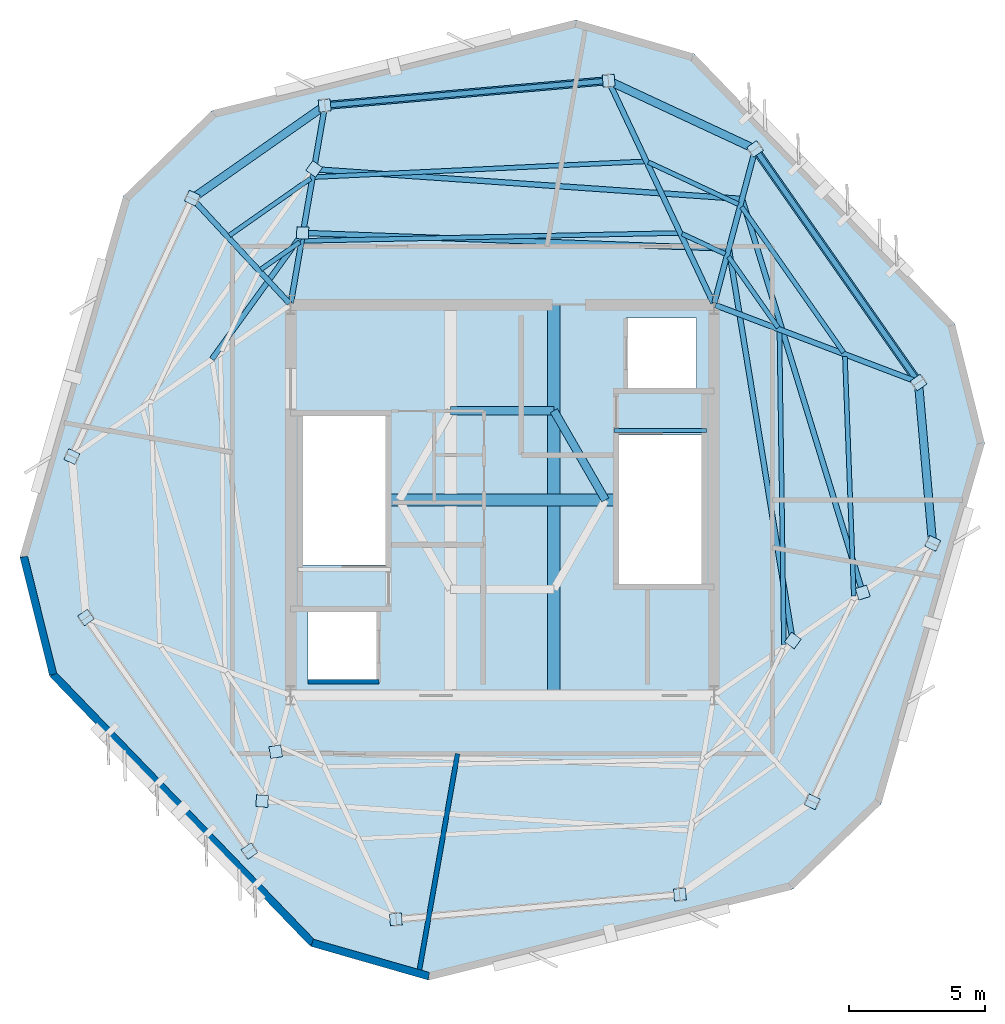
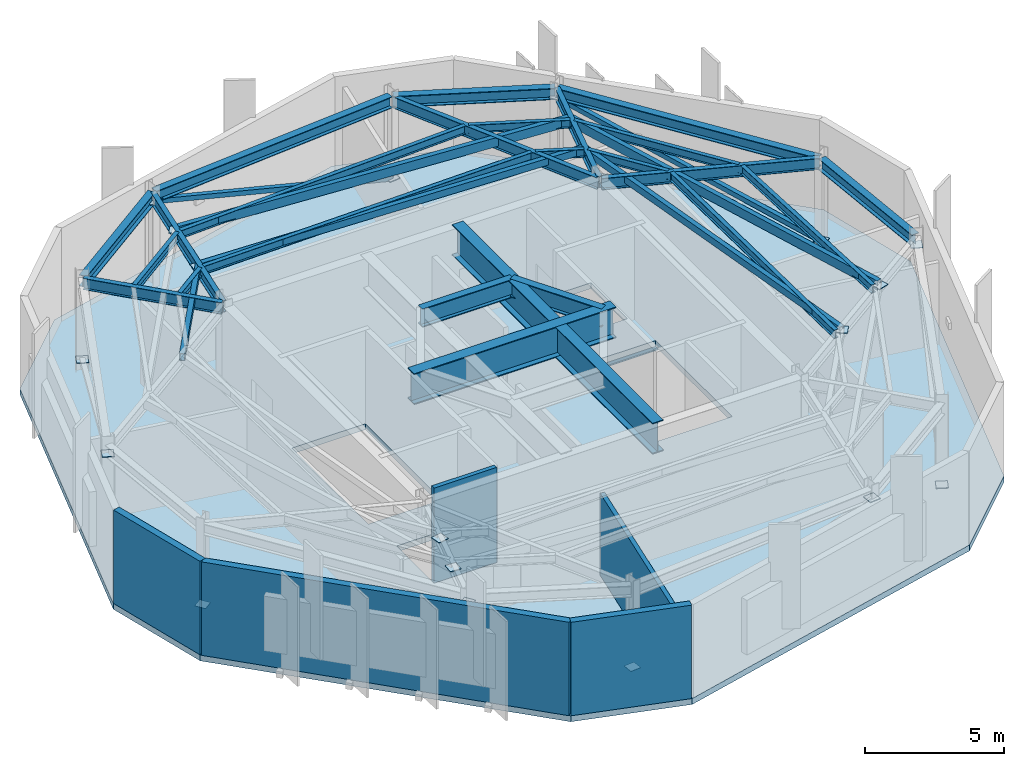
# One storey, part 2 of 5: 25 beams, 18 plates, 7 members, 5 walls, 1 slab.
"""IFC4 building model written with IfcOpenShell, lengths in metres."""

import ifcopenshell
import ifcopenshell.guid

model = None  # the IFC model being written
_history = None  # IfcOwnerHistory: only IFC2X3 demands one
_inside = {}  # id of a spatial element -> (the spatial element, [elements in it])
_under = {}  # id of a project, library or spatial element -> (it, [spatial elements below it])
_declared = {}  # id of a project -> (the project, [libraries it declares])
_typed = {}  # id of a type object -> (the type object, [elements of that type])
_made_of = {}  # id of a material, layer set ... -> (it, [elements and type objects made of it])


def new_model(schema):
    """Start an empty IFC model of exactly this schema.

    Asked for "IFC4X3", IfcOpenShell would pick the latest addendum, in which some entities
    have other attributes; the version numbers below select the first issue.
    IFC2X3 requires an IfcOwnerHistory on every rooted entity: one is made here for all.
    """
    global model, _history
    if schema == "IFC4X3":
        model = ifcopenshell.file(schema_version=(4, 3, 0, 0))
    else:
        model = ifcopenshell.file(schema=schema)
    _inside.clear()
    _under.clear()
    _declared.clear()
    _typed.clear()
    _made_of.clear()
    _history = None
    if model.schema == "IFC2X3":
        org = make("IfcOrganization", Name="unknown")
        user = make(
            "IfcPersonAndOrganization",
            ThePerson=make("IfcPerson", FamilyName="unknown"),
            TheOrganization=org,
        )
        app = make(
            "IfcApplication",
            ApplicationDeveloper=org,
            Version="unknown",
            ApplicationFullName="unknown",
            ApplicationIdentifier="unknown",
        )
        _history = make(
            "IfcOwnerHistory",
            OwningUser=user,
            OwningApplication=app,
            ChangeAction="ADDED",
            CreationDate=0,
        )
    return model


def make(cls, **values):
    """One entity of the class cls with the attributes given. An attribute that is None is left unset."""
    return model.create_entity(
        cls, **{name: value for name, value in values.items() if value is not None}
    )


def rooted(cls, **values):
    """An entity with a GlobalId (a new one), such as an element, a storey or a relation."""
    return make(cls, GlobalId=ifcopenshell.guid.new(), OwnerHistory=_history, **values)


def si_unit(unit_type, name, prefix=None):
    """IfcSIUnit, for example si_unit("LENGTHUNIT", "METRE", prefix="MILLI")."""
    return make("IfcSIUnit", UnitType=unit_type, Prefix=prefix, Name=name)


def assignment(units):
    """IfcUnitAssignment: the units of a project."""
    return None if units is None else make("IfcUnitAssignment", Units=units)


def point(xyz):
    """IfcCartesianPoint."""
    return None if xyz is None else make("IfcCartesianPoint", Coordinates=xyz)


def direction(xyz):
    """IfcDirection."""
    return None if xyz is None else make("IfcDirection", DirectionRatios=xyz)


def frame(location, z_axis=None, x_axis=None):
    """IfcAxis2Placement3D, a coordinate frame: its origin and axes. An axis left out is left unset."""
    return make(
        "IfcAxis2Placement3D",
        Location=point(location),
        Axis=direction(z_axis),
        RefDirection=direction(x_axis),
    )


def frame_2d(location, x_axis=None):
    """IfcAxis2Placement2D, a coordinate frame in the plane: its origin and x axis."""
    return make(
        "IfcAxis2Placement2D", Location=point(location), RefDirection=direction(x_axis)
    )


def origin():
    """The frame at (0, 0, 0) with its axes left unset."""
    return frame((0.0, 0.0, 0.0))


def origin_2d():
    """The frame at (0, 0) in the plane with its x axis left unset."""
    return frame_2d((0.0, 0.0))


def place(relative_to, where):
    """IfcLocalPlacement: puts the frame where relative to a parent placement (None: the world)."""
    return make(
        "IfcLocalPlacement", PlacementRelTo=relative_to, RelativePlacement=where
    )


def context(
    kind, dimensions, precision=None, world=None, true_north=None, identifier=None
):
    """IfcGeometricRepresentationContext, for example the 3D "Model" context."""
    return make(
        "IfcGeometricRepresentationContext",
        ContextIdentifier=identifier,
        ContextType=kind,
        CoordinateSpaceDimension=dimensions,
        Precision=precision,
        WorldCoordinateSystem=world,
        TrueNorth=true_north,
    )


def subcontext(parent, identifier, kind, view, scale=None):
    """IfcGeometricRepresentationSubContext, for example "Body" below "Model"."""
    return make(
        "IfcGeometricRepresentationSubContext",
        ContextIdentifier=identifier,
        ContextType=kind,
        ParentContext=parent,
        TargetScale=scale,
        TargetView=view,
    )


def project(units=None, contexts=None):
    """IfcProject with its units and contexts."""
    return rooted(
        "IfcProject",
        Name="project",
        RepresentationContexts=contexts,
        UnitsInContext=assignment(units),
    )


def spatial(cls, under=None, at=None, **own):
    """A site, building, storey or space (cls), placed at a placement, below another one or the project."""
    s = rooted(cls, ObjectPlacement=at, **own)
    if under is not None:
        _under.setdefault(under.id(), (under, []))[1].append(s)
    return s


def polyline(points):
    """IfcPolyline through the points."""
    return make("IfcPolyline", Points=[point(p) for p in points])


def profile(cls, at=None, kind="AREA", **sizes):
    """A parametric profile (cls). Its sizes go by their IFC names, for example OverallWidth=200.0."""
    return make(cls, ProfileType=kind, Position=at, **sizes)


def rectangle(**sizes):
    """IfcRectangleProfileDef."""
    return profile("IfcRectangleProfileDef", **sizes)


def hollow_rectangle(**sizes):
    """IfcRectangleHollowProfileDef."""
    return profile("IfcRectangleHollowProfileDef", **sizes)


def i_section(**sizes):
    """IfcIShapeProfileDef."""
    return profile("IfcIShapeProfileDef", **sizes)


def outline(outer, holes=None, kind="AREA"):
    """IfcArbitraryClosedProfileDef: a profile drawn as a closed curve; with holes, ...WithVoids."""
    if holes is None:
        return make("IfcArbitraryClosedProfileDef", ProfileType=kind, OuterCurve=outer)
    return make(
        "IfcArbitraryProfileDefWithVoids",
        ProfileType=kind,
        OuterCurve=outer,
        InnerCurves=holes,
    )


def extrude(swept, where, along, depth):
    """IfcExtrudedAreaSolid: the profile swept, set in the frame where, extruded along a direction by depth."""
    return make(
        "IfcExtrudedAreaSolid",
        SweptArea=swept,
        Position=where,
        ExtrudedDirection=direction(along),
        Depth=depth,
    )


def shape(context_of_items, identifier, shape_type, items):
    """IfcShapeRepresentation: the items that make up one representation, for example the "Body"."""
    return make(
        "IfcShapeRepresentation",
        ContextOfItems=context_of_items,
        RepresentationIdentifier=identifier,
        RepresentationType=shape_type,
        Items=items,
    )


def material(Name=None, Category=None):
    """IfcMaterial."""
    return make("IfcMaterial", Name=Name, Category=Category)


def layer(
    of_material, thickness, ventilated=None, Name=None, Category=None, Priority=None
):
    """IfcMaterialLayer: one layer of a wall or slab, of a material (None: an air gap)."""
    return make(
        "IfcMaterialLayer",
        Material=of_material,
        LayerThickness=thickness,
        IsVentilated=ventilated,
        Name=Name,
        Category=Category,
        Priority=Priority,
    )


def layer_set(layers, Name=None):
    """IfcMaterialLayerSet."""
    return make("IfcMaterialLayerSet", MaterialLayers=layers, LayerSetName=Name)


def material_profile(
    of_material, cross_section, Name=None, Category=None, Priority=None
):
    """IfcMaterialProfile: a cross section and its material."""
    return make(
        "IfcMaterialProfile",
        Name=Name,
        Material=of_material,
        Profile=cross_section,
        Priority=Priority,
        Category=Category,
    )


def profile_set(profiles, Name=None, composite=None):
    """IfcMaterialProfileSet."""
    return make(
        "IfcMaterialProfileSet",
        Name=Name,
        MaterialProfiles=profiles,
        CompositeProfile=composite,
    )


def made_of(thing, what):
    """Note that an element or type object is made of a material, layer set ...; save() writes the relation."""
    if what is not None:
        _made_of.setdefault(what.id(), (what, []))[1].append(thing)
    return thing


def type_object(cls, material=None, **own):
    """A type object (cls), such as IfcWallType, which elements share."""
    return made_of(rooted(cls, **own), material)


def element(
    cls,
    number,
    at=None,
    inside=None,
    cuts=None,
    type_object=None,
    material=None,
    context=None,
    identifier="Body",
    shape_type=None,
    held_by="IfcProductDefinitionShape",
    body=None,
    shapes=None,
    **own,
):
    """One element of the class cls, such as IfcWall. Its Tag is "e" and its number.

    at: its placement. inside: the storey or other place that contains it. cuts: it is an
    opening in that element (IfcRelVoidsElement). A single representation is given by context,
    identifier, shape_type and body (its items); several are given by shapes. held_by: the class
    of the entity that holds the representations. save() writes the other relations.
    """
    e = rooted(cls, Tag="e%d" % number, ObjectPlacement=at, **own)
    if body is not None:
        shapes = [shape(context, identifier, shape_type, body)]
    if shapes is not None:
        e.Representation = make(held_by, Representations=shapes)
    if inside is not None:
        _inside.setdefault(inside.id(), (inside, []))[1].append(e)
    if cuts is not None:
        rooted(
            "IfcRelVoidsElement", RelatingBuildingElement=cuts, RelatedOpeningElement=e
        )
    if type_object is not None:
        _typed.setdefault(type_object.id(), (type_object, []))[1].append(e)
    return made_of(e, material)


def aggregate(whole, parts):
    """IfcRelAggregates: a whole, such as a stair, and the parts it consists of."""
    return rooted("IfcRelAggregates", RelatingObject=whole, RelatedObjects=parts)


def save(model, path):
    """Write the relations noted so far, then the file.

    IfcRelAggregates (storeys below a building ...), IfcRelContainedInSpatialStructure (elements
    in a storey), IfcRelDefinesByType, IfcRelAssociatesMaterial and IfcRelDeclares: one each for
    every whole, place, type object, material and project.
    """
    for whole, parts in _under.values():
        aggregate(whole, parts)
    for where, things in _inside.values():
        rooted(
            "IfcRelContainedInSpatialStructure",
            RelatedElements=things,
            RelatingStructure=where,
        )
    for kind, things in _typed.values():
        rooted("IfcRelDefinesByType", RelatedObjects=things, RelatingType=kind)
    for what, things in _made_of.values():
        rooted("IfcRelAssociatesMaterial", RelatedObjects=things, RelatingMaterial=what)
    for by, libraries in _declared.values():
        rooted("IfcRelDeclares", RelatingContext=by, RelatedDefinitions=libraries)
    model.write(path)


model = new_model("IFC4")

# Units and contexts
model_context = context("Model", 3, precision=1e-05, world=origin(), true_north=direction((0.0, 1.0)))
body_context = subcontext(model_context, "Body", "Model", "MODEL_VIEW")
ifc_project = project(units=[si_unit("LENGTHUNIT", "METRE"), si_unit("AREAUNIT", "SQUARE_METRE"), si_unit("VOLUMEUNIT", "CUBIC_METRE"), si_unit("PLANEANGLEUNIT", "RADIAN"), si_unit("MASSUNIT", "GRAM", prefix="KILO")], contexts=[model_context])

# Site, building, storey
site_placement = place(None, origin())
site = spatial("IfcSite", under=ifc_project, at=site_placement, CompositionType="ELEMENT")
building_placement = place(site_placement, origin())
building = spatial("IfcBuilding", under=site, at=building_placement, Name="Kranzbogen Civic Tower", CompositionType="ELEMENT")
storey_placement = place(building_placement, frame((0.0, 0.0, 322.60009765625)))
storey = spatial("IfcBuildingStorey", under=building, at=storey_placement, Name="L78", CompositionType="ELEMENT", Elevation=322.60009765625)

# Members
ifc_material_1 = material(Name="Steel S355", Category="steel")
ifc_material_profile_1 = material_profile(ifc_material_1, hollow_rectangle(XDim=0.199951171875, YDim=0.199951171875, WallThickness=0.012451171875, at=origin_2d()), Name="SHS 200x200x12.5")
ifc_profile_set_1 = profile_set([ifc_material_profile_1], Name="Steel S355")
member_type_1 = type_object("IfcMemberType", Name="Crown Drum Bracing Member SHS 200x200x12.5", PredefinedType="BRACE", material=ifc_profile_set_1)
member_1_placement = place(storey_placement, frame((28.908935546875, 40.449951171875, 0.449951171875), z_axis=(-0.952780116497, -0.083404460046, 0.291982440658), x_axis=(0.087204511818, -0.996190430148, 0.0)))
element("IfcMember", 1, at=member_1_placement, inside=storey, type_object=member_type_1, Name="DC-200: L78 crown drum lateral brace 1", PredefinedType="BRACE", context=body_context, shape_type="SweptSolid", body=[
    extrude(hollow_rectangle(XDim=0.199951171875, YDim=0.199951171875, WallThickness=0.012451171875, at=origin_2d()), origin(), (0.0, 0.0, 1.0), 10.95947265625),
])
member_2_placement = place(storey_placement, frame((40.333984375, 29.339111328125, 0.449951171875), z_axis=(-0.548543887605, 0.783487740704, 0.291970141516), x_axis=(-0.819181584375, -0.573534246424, 0.0)))
element("IfcMember", 2, at=member_2_placement, inside=storey, type_object=member_type_1, Name="DC-200: L78 crown drum lateral brace 6", PredefinedType="BRACE", context=body_context, shape_type="SweptSolid", body=[
    extrude(hollow_rectangle(XDim=0.199951171875, YDim=0.199951171875, WallThickness=0.012451171875, at=origin_2d()), origin(), (0.0, 0.0, 1.0), 10.9599609375),
])
ifc_material_profile_2 = material_profile(ifc_material_1, hollow_rectangle(XDim=0.199951171875, YDim=0.39990234375, WallThickness=0.01611328125, at=origin_2d()), Name="RHS 400x200x16")
ifc_profile_set_2 = profile_set([ifc_material_profile_2], Name="Steel S355")
member_type_2 = type_object("IfcMemberType", Name="Crown Roof Primary Purlin RHS 400x200x16", PredefinedType="PURLIN", material=ifc_profile_set_2)
member_3_placement = place(storey_placement, frame((38.277099609375, 21.60107421875, 3.89990234375), z_axis=(-0.293047842578, 0.956097778452, 0.0), x_axis=(-0.956097778452, -0.293047842578, 0.0)))
element("IfcMember", 3, at=member_3_placement, inside=storey, type_object=member_type_2, Name="Crown sloped roof purlin 5.1", PredefinedType="PURLIN", context=body_context, shape_type="SweptSolid", body=[
    extrude(hollow_rectangle(XDim=0.199951171875, YDim=0.39990234375, WallThickness=0.01611328125, at=origin_2d()), origin(), (0.0, 0.0, 1.0), 15.158447265625),
])
member_4_placement = place(storey_placement, frame((33.8349609375, 36.093994140625, 3.89990234375), z_axis=(-0.997603316424, 0.06919265178, 0.0), x_axis=(-0.06919265178, -0.997603316424, 0.0)))
element("IfcMember", 4, at=member_4_placement, inside=storey, type_object=member_type_2, Name="Crown sloped roof purlin 6.1", PredefinedType="PURLIN", context=body_context, shape_type="SweptSolid", body=[
    extrude(hollow_rectangle(XDim=0.199951171875, YDim=0.39990234375, WallThickness=0.01611328125, at=origin_2d()), origin(), (0.0, 0.0, 1.0), 15.810791015625),
])
ifc_material_profile_3 = material_profile(ifc_material_1, hollow_rectangle(XDim=0.199951171875, YDim=0.300048828125, WallThickness=0.012451171875, at=origin_2d()), Name="RHS 300x200x12.5")
ifc_profile_set_3 = profile_set([ifc_material_profile_3], Name="Steel S355")
member_type_3 = type_object("IfcMemberType", Name="Crown Roof Secondary Purlin RHS 300x200x12.5", PredefinedType="PURLIN", material=ifc_profile_set_3)
member_5_placement = place(storey_placement, frame((17.656005859375, 34.841064453125, 3.89990234375), z_axis=(-0.584963712616, -0.81105946448, 0.0), x_axis=(0.81105946448, -0.584963712616, 0.0)))
element("IfcMember", 5, at=member_5_placement, inside=storey, type_object=member_type_3, Name="Crown sloped roof purlin 1.2", PredefinedType="PURLIN", context=body_context, shape_type="SweptSolid", body=[
    extrude(hollow_rectangle(XDim=0.199951171875, YDim=0.300048828125, WallThickness=0.012451171875, at=origin_2d()), origin(), (0.0, 0.0, 1.0), 5.737060546875),
])
member_6_placement = place(storey_placement, frame((35.699951171875, 19.81201171875, 3.89990234375), z_axis=(-0.160668423312, 0.987008438541, 0.0), x_axis=(-0.987008438541, -0.160668423312, 0.0)))
element("IfcMember", 6, at=member_6_placement, inside=storey, type_object=member_type_3, Name="Crown sloped roof purlin 5.2", PredefinedType="PURLIN", context=body_context, shape_type="SweptSolid", body=[
    extrude(hollow_rectangle(XDim=0.199951171875, YDim=0.300048828125, WallThickness=0.012451171875, at=origin_2d()), origin(), (0.0, 0.0, 1.0), 14.63916015625),
])
member_7_placement = place(storey_placement, frame((33.347900390625, 34.260986328125, 3.89990234375), z_axis=(-0.999317429699, 0.036941503765, 0.0), x_axis=(-0.036941503765, -0.999317429699, 0.0)))
element("IfcMember", 7, at=member_7_placement, inside=storey, type_object=member_type_3, Name="Crown sloped roof purlin 6.2", PredefinedType="PURLIN", context=body_context, shape_type="SweptSolid", body=[
    extrude(hollow_rectangle(XDim=0.199951171875, YDim=0.300048828125, WallThickness=0.012451171875, at=origin_2d()), origin(), (0.0, 0.0, 1.0), 15.70263671875),
])

# Beams
ifc_material_profile_4 = material_profile(ifc_material_1, i_section(OverallWidth=0.300048828125, OverallDepth=0.5, WebThickness=0.014404296875, FlangeThickness=0.028076171875, at=origin_2d()), Name="HEB 500")
ifc_profile_set_4 = profile_set([ifc_material_profile_4], Name="Steel S355")
beam_type_1 = type_object("IfcBeamType", Name="Perimeter Tube Spandrel Beam HEB 500", PredefinedType="SPANDREL", material=ifc_profile_set_4)
beam_1_placement = place(storey_placement, frame((40.85009765625, 23.449951171875, 3.849853515625), z_axis=(-0.087326362434, 0.99617975608, 0.0), x_axis=(-0.99617975608, -0.087326362434, 0.0)))
element("IfcBeam", 8, at=beam_1_placement, inside=storey, type_object=beam_type_1, Name="L78 perimeter spandrel beam 06", PredefinedType="SPANDREL", context=body_context, shape_type="SweptSolid", body=[
    extrude(i_section(OverallWidth=0.300048828125, OverallDepth=0.5, WebThickness=0.014404296875, FlangeThickness=0.028076171875, at=origin_2d()), origin(), (0.0, 0.0, 1.0), 5.8515625),
])
beam_2_placement = place(storey_placement, frame((40.300048828125, 29.387939453125, 3.849853515625), z_axis=(-0.573577759301, 0.819151117948, 0.0), x_axis=(-0.819151117948, -0.573577759301, 0.0)))
element("IfcBeam", 9, at=beam_2_placement, inside=storey, type_object=beam_type_1, Name="L78 perimeter spandrel beam 07", PredefinedType="SPANDREL", context=body_context, shape_type="SweptSolid", body=[
    extrude(i_section(OverallWidth=0.300048828125, OverallDepth=0.5, WebThickness=0.014404296875, FlangeThickness=0.028076171875, at=origin_2d()), origin(), (0.0, 0.0, 1.0), 10.36328125),
])
beam_3_placement = place(storey_placement, frame((34.26806640625, 37.950927734375, 3.849853515625), z_axis=(-0.906289661556, 0.422657129784, 0.0), x_axis=(-0.422657129784, -0.906289661556, 0.0)))
element("IfcBeam", 10, at=beam_3_placement, inside=storey, type_object=beam_type_1, Name="L78 perimeter spandrel beam 08", PredefinedType="SPANDREL", context=body_context, shape_type="SweptSolid", body=[
    extrude(i_section(OverallWidth=0.300048828125, OverallDepth=0.5, WebThickness=0.014404296875, FlangeThickness=0.028076171875, at=origin_2d()), origin(), (0.0, 0.0, 1.0), 5.853759765625),
])
beam_4_placement = place(storey_placement, frame((28.84912109375, 40.445068359375, 3.849853515625), z_axis=(-0.996186373839, -0.087250837114, 0.0), x_axis=(0.087250837114, -0.996186373839, 0.0)))
element("IfcBeam", 11, at=beam_4_placement, inside=storey, type_object=beam_type_1, Name="L78 perimeter spandrel beam 09", PredefinedType="SPANDREL", context=body_context, shape_type="SweptSolid", body=[
    extrude(i_section(OverallWidth=0.300048828125, OverallDepth=0.5, WebThickness=0.014404296875, FlangeThickness=0.028076171875, at=origin_2d()), origin(), (0.0, 0.0, 1.0), 10.361572265625),
])
beam_5_placement = place(storey_placement, frame((18.41796875, 39.501953125, 3.849853515625), z_axis=(-0.819059436004, -0.57370867197, 0.0), x_axis=(0.57370867197, -0.819059436004, 0.0)))
element("IfcBeam", 12, at=beam_5_placement, inside=storey, type_object=beam_type_1, Name="L78 perimeter spandrel beam 10", PredefinedType="SPANDREL", context=body_context, shape_type="SweptSolid", body=[
    extrude(i_section(OverallWidth=0.300048828125, OverallDepth=0.5, WebThickness=0.014404296875, FlangeThickness=0.028076171875, at=origin_2d()), origin(), (0.0, 0.0, 1.0), 5.85302734375),
])
ifc_material_profile_5 = material_profile(ifc_material_1, i_section(OverallWidth=0.300048828125, OverallDepth=0.800048828125, WebThickness=0.017578125, FlangeThickness=0.032958984375, at=origin_2d()), Name="HEB 800")
ifc_profile_set_5 = profile_set([ifc_material_profile_5], Name="Steel S355")
beam_type_2 = type_object("IfcBeamType", Name="Primary Ring and Crown Transfer Girder HEB 800", PredefinedType="BEAM", material=ifc_profile_set_5)
beam_6_placement = place(storey_placement, frame((28.800048828125, 25.0, 3.77001953125), z_axis=(-0.500015340139, 0.86601654697, 0.0), x_axis=(-0.86601654697, -0.500015340139, 0.0)))
element("IfcBeam", 13, at=beam_6_placement, inside=storey, type_object=beam_type_2, Name="TG-800: Broadcast Mast base transfer ring girder 1", PredefinedType="BEAM", context=body_context, shape_type="SweptSolid", body=[
    extrude(i_section(OverallWidth=0.300048828125, OverallDepth=0.800048828125, WebThickness=0.017578125, FlangeThickness=0.032958984375, at=origin_2d()), origin(), (0.0, 0.0, 1.0), 3.80029296875),
])
beam_7_placement = place(storey_placement, frame((26.89990234375, 28.291015625, 3.77001953125), z_axis=(-1.0, 0.0, 0.0), x_axis=(0.0, -1.0, 0.0)))
element("IfcBeam", 14, at=beam_7_placement, inside=storey, type_object=beam_type_2, Name="TG-800: Broadcast Mast base transfer ring girder 2", PredefinedType="BEAM", context=body_context, shape_type="SweptSolid", body=[
    extrude(i_section(OverallWidth=0.300048828125, OverallDepth=0.800048828125, WebThickness=0.017578125, FlangeThickness=0.032958984375, at=origin_2d()), origin(), (0.0, 0.0, 1.0), 3.7998046875),
])
ifc_material_profile_6 = material_profile(ifc_material_1, i_section(OverallWidth=0.199951171875, OverallDepth=0.5, WebThickness=0.01025390625, FlangeThickness=0.01611328125, at=origin_2d()), Name="IPE 500")
ifc_profile_set_6 = profile_set([ifc_material_profile_6], Name="Steel S355")
beam_type_3 = type_object("IfcBeamType", Name="Radial Tower Floor Girder IPE 500", PredefinedType="BEAM", material=ifc_profile_set_6)
beam_8_placement = place(storey_placement, frame((40.278076171875, 29.360107421875, 3.849853515625), z_axis=(-0.934848709689, 0.355046320913, 0.0), x_axis=(-0.355046320913, -0.934848709689, 0.0)))
element("IfcBeam", 15, at=beam_8_placement, inside=storey, type_object=beam_type_3, Name="L78 radial floor girder 07", PredefinedType="BEAM", context=body_context, shape_type="SweptSolid", body=[
    extrude(i_section(OverallWidth=0.199951171875, OverallDepth=0.5, WebThickness=0.01025390625, FlangeThickness=0.01611328125, at=origin_2d()), origin(), (0.0, 0.0, 1.0), 7.939453125),
])
beam_9_placement = place(storey_placement, frame((34.306884765625, 37.867919921875, 3.849853515625), z_axis=(-0.257016017622, -0.966407143333, 0.0), x_axis=(0.966407143333, -0.257016017622, 0.0)))
element("IfcBeam", 16, at=beam_9_placement, inside=storey, type_object=beam_type_3, Name="L78 radial floor girder 08", PredefinedType="BEAM", context=body_context, shape_type="SweptSolid", body=[
    extrude(i_section(OverallWidth=0.199951171875, OverallDepth=0.5, WebThickness=0.01025390625, FlangeThickness=0.01611328125, at=origin_2d()), origin(), (0.0, 0.0, 1.0), 5.804931640625),
])
beam_10_placement = place(storey_placement, frame((28.93505859375, 40.39599609375, 3.849853515625), z_axis=(0.426460441273, -0.904506214478, 0.0), x_axis=(0.904506214478, 0.426460441273, 0.0)))
element("IfcBeam", 17, at=beam_10_placement, inside=storey, type_object=beam_type_3, Name="L78 radial floor girder 09", PredefinedType="BEAM", context=body_context, shape_type="SweptSolid", body=[
    extrude(i_section(OverallWidth=0.199951171875, OverallDepth=0.5, WebThickness=0.01025390625, FlangeThickness=0.01611328125, at=origin_2d()), origin(), (0.0, 0.0, 1.0), 9.001708984375),
])
beam_11_placement = place(storey_placement, frame((18.45703125, 39.47705078125, 3.849853515625), z_axis=(-0.170249558486, -0.985400978199, 0.0), x_axis=(0.985400978199, -0.170249558486, 0.0)))
element("IfcBeam", 18, at=beam_11_placement, inside=storey, type_object=beam_type_3, Name="L78 radial floor girder 10", PredefinedType="BEAM", context=body_context, shape_type="SweptSolid", body=[
    extrude(i_section(OverallWidth=0.199951171875, OverallDepth=0.5, WebThickness=0.01025390625, FlangeThickness=0.01611328125, at=origin_2d()), origin(), (0.0, 0.0, 1.0), 7.324951171875),
])
beam_12_placement = place(storey_placement, frame((13.615966796875, 36.06591796875, 3.849853515625), z_axis=(0.679827353702, -0.733372190064, 0.0), x_axis=(0.733372190064, 0.679827353702, 0.0)))
element("IfcBeam", 19, at=beam_12_placement, inside=storey, type_object=beam_type_3, Name="L78 radial floor girder 11", PredefinedType="BEAM", context=body_context, shape_type="SweptSolid", body=[
    extrude(i_section(OverallWidth=0.199951171875, OverallDepth=0.5, WebThickness=0.01025390625, FlangeThickness=0.01611328125, at=origin_2d()), origin(), (0.0, 0.0, 1.0), 5.211669921875),
])
ifc_material_profile_7 = material_profile(ifc_material_1, i_section(OverallWidth=0.169921875, OverallDepth=0.360107421875, WebThickness=0.008056640625, FlangeThickness=0.0126953125, at=origin_2d()), Name="IPE 360")
ifc_profile_set_7 = profile_set([ifc_material_profile_7], Name="Steel S355")
beam_type_4 = type_object("IfcBeamType", Name="Secondary Composite Floor Joist IPE 360", PredefinedType="JOIST", material=ifc_profile_set_7)
beam_13_placement = place(storey_placement, frame((37.951904296875, 21.4580078125, 3.919921875), z_axis=(-0.036992246074, 0.999315552631, 0.0), x_axis=(-0.999315552631, -0.036992246074, 0.0)))
element("IfcBeam", 20, at=beam_13_placement, inside=storey, type_object=beam_type_4, Name="L78 secondary floor joist 1.06", PredefinedType="JOIST", context=body_context, shape_type="SweptSolid", body=[
    extrude(i_section(OverallWidth=0.169921875, OverallDepth=0.360107421875, WebThickness=0.008056640625, FlangeThickness=0.0126953125, at=origin_2d()), origin(), (0.0, 0.0, 1.0), 8.837158203125),
])
beam_14_placement = place(storey_placement, frame((35.3759765625, 19.6689453125, 3.919921875), z_axis=(-0.014221385906, 0.999898870978, 0.0), x_axis=(-0.999898870978, -0.014221385906, 0.0)))
element("IfcBeam", 21, at=beam_14_placement, inside=storey, type_object=beam_type_4, Name="L78 secondary floor joist 2.06", PredefinedType="JOIST", context=body_context, shape_type="SweptSolid", body=[
    extrude(i_section(OverallWidth=0.169921875, OverallDepth=0.360107421875, WebThickness=0.008056640625, FlangeThickness=0.0126953125, at=origin_2d()), origin(), (0.0, 0.0, 1.0), 11.536376953125),
])
beam_15_placement = place(storey_placement, frame((37.575927734375, 30.43408203125, 3.919921875), z_axis=(-0.573499872939, 0.819205649235, 0.0), x_axis=(-0.819205649235, -0.573499872939, 0.0)))
element("IfcBeam", 22, at=beam_15_placement, inside=storey, type_object=beam_type_4, Name="L78 secondary floor joist 1.07", PredefinedType="JOIST", context=body_context, shape_type="SweptSolid", body=[
    extrude(i_section(OverallWidth=0.169921875, OverallDepth=0.360107421875, WebThickness=0.008056640625, FlangeThickness=0.0126953125, at=origin_2d()), origin(), (0.0, 0.0, 1.0), 6.549072265625),
])
beam_16_placement = place(storey_placement, frame((35.1650390625, 31.35009765625, 3.919921875), z_axis=(-0.573498248491, 0.819206786457, 0.0), x_axis=(-0.819206786457, -0.573498248491, 0.0)))
element("IfcBeam", 23, at=beam_16_placement, inside=storey, type_object=beam_type_4, Name="L78 secondary floor joist 2.07", PredefinedType="JOIST", context=body_context, shape_type="SweptSolid", body=[
    extrude(i_section(OverallWidth=0.169921875, OverallDepth=0.360107421875, WebThickness=0.008056640625, FlangeThickness=0.0126953125, at=origin_2d()), origin(), (0.0, 0.0, 1.0), 3.194580078125),
])
beam_17_placement = place(storey_placement, frame((33.701904296875, 35.89794921875, 3.919921875), z_axis=(-0.906303996948, 0.422626389517, 0.0), x_axis=(-0.422626389517, -0.906303996948, 0.0)))
element("IfcBeam", 24, at=beam_17_placement, inside=storey, type_object=beam_type_4, Name="L78 secondary floor joist 1.08", PredefinedType="JOIST", context=body_context, shape_type="SweptSolid", body=[
    extrude(i_section(OverallWidth=0.169921875, OverallDepth=0.360107421875, WebThickness=0.008056640625, FlangeThickness=0.0126953125, at=origin_2d()), origin(), (0.0, 0.0, 1.0), 3.6630859375),
])
beam_18_placement = place(storey_placement, frame((33.215087890625, 34.06591796875, 3.919921875), z_axis=(-0.906432174342, 0.422351409751, 0.0), x_axis=(-0.422351409751, -0.906432174342, 0.0)))
element("IfcBeam", 25, at=beam_18_placement, inside=storey, type_object=beam_type_4, Name="L78 secondary floor joist 2.08", PredefinedType="JOIST", context=body_context, shape_type="SweptSolid", body=[
    extrude(i_section(OverallWidth=0.169921875, OverallDepth=0.360107421875, WebThickness=0.008056640625, FlangeThickness=0.0126953125, at=origin_2d()), origin(), (0.0, 0.0, 1.0), 1.751953125),
])
beam_19_placement = place(storey_placement, frame((30.22998046875, 37.47607421875, 3.919921875), z_axis=(-0.998871634781, -0.047491654324, 0.0), x_axis=(0.047491654324, -0.998871634781, 0.0)))
element("IfcBeam", 26, at=beam_19_placement, inside=storey, type_object=beam_type_4, Name="L78 secondary floor joist 1.09", PredefinedType="JOIST", context=body_context, shape_type="SweptSolid", body=[
    extrude(i_section(OverallWidth=0.169921875, OverallDepth=0.360107421875, WebThickness=0.008056640625, FlangeThickness=0.0126953125, at=origin_2d()), origin(), (0.0, 0.0, 1.0), 12.152587890625),
])
beam_20_placement = place(storey_placement, frame((31.47509765625, 34.837890625, 3.919921875), z_axis=(-0.999780746893, -0.020939392104, 0.0), x_axis=(0.020939392104, -0.999780746893, 0.0)))
element("IfcBeam", 27, at=beam_20_placement, inside=storey, type_object=beam_type_4, Name="L78 secondary floor joist 2.09", PredefinedType="JOIST", context=body_context, shape_type="SweptSolid", body=[
    extrude(i_section(OverallWidth=0.169921875, OverallDepth=0.360107421875, WebThickness=0.008056640625, FlangeThickness=0.0126953125, at=origin_2d()), origin(), (0.0, 0.0, 1.0), 13.79296875),
])
beam_21_placement = place(storey_placement, frame((17.945068359375, 36.84912109375, 3.919921875), z_axis=(-0.819006333711, -0.573784476385, 0.0), x_axis=(0.573784476385, -0.819006333711, 0.0)))
element("IfcBeam", 28, at=beam_21_placement, inside=storey, type_object=beam_type_4, Name="L78 secondary floor joist 1.10", PredefinedType="JOIST", context=body_context, shape_type="SweptSolid", body=[
    extrude(i_section(OverallWidth=0.169921875, OverallDepth=0.360107421875, WebThickness=0.008056640625, FlangeThickness=0.0126953125, at=origin_2d()), origin(), (0.0, 0.0, 1.0), 3.661865234375),
])
beam_22_placement = place(storey_placement, frame((17.5400390625, 34.501953125, 3.919921875), z_axis=(-0.818956727849, -0.573855276103, 0.0), x_axis=(0.573855276103, -0.818956727849, 0.0)))
element("IfcBeam", 29, at=beam_22_placement, inside=storey, type_object=beam_type_4, Name="L78 secondary floor joist 2.10", PredefinedType="JOIST", context=body_context, shape_type="SweptSolid", body=[
    extrude(i_section(OverallWidth=0.169921875, OverallDepth=0.360107421875, WebThickness=0.008056640625, FlangeThickness=0.0126953125, at=origin_2d()), origin(), (0.0, 0.0, 1.0), 1.751220703125),
])
ifc_material_profile_8 = material_profile(ifc_material_1, i_section(OverallWidth=0.135009765625, OverallDepth=0.27001953125, WebThickness=0.006591796875, FlangeThickness=0.01025390625, at=origin_2d()), Name="IPE 270")
ifc_profile_set_8 = profile_set([ifc_material_profile_8], Name="Steel S355")
beam_type_5 = type_object("IfcBeamType", Name="Stair Landing Support Beam IPE 270", PredefinedType="JOIST", material=ifc_profile_set_8)
beam_23_placement = place(storey_placement, frame((29.1201171875, 27.56005859375, -0.39501953125), z_axis=(1.0, 0.0, 0.0), x_axis=(0.0, 1.0, 0.0)))
element("IfcBeam", 30, at=beam_23_placement, inside=storey, type_object=beam_type_5, Name="L78 ST-T2 stair floor header beam", PredefinedType="JOIST", context=body_context, shape_type="SweptSolid", body=[
    extrude(i_section(OverallWidth=0.135009765625, OverallDepth=0.27001953125, WebThickness=0.006591796875, FlangeThickness=0.01025390625, at=origin_2d()), origin(), (0.0, 0.0, 1.0), 3.409912109375),
])
ifc_material_2 = material(Name="Steel S460", Category="steel")
ifc_material_profile_9 = material_profile(ifc_material_2, i_section(OverallWidth=0.449951171875, OverallDepth=1.35009765625, WebThickness=0.02392578125, FlangeThickness=0.0380859375, at=origin_2d()), Name="WPG 1350x450x24x38")
ifc_profile_set_9 = profile_set([ifc_material_profile_9], Name="Steel S460")
beam_type_6 = type_object("IfcBeamType", Name="Welded Transfer Girder WPG 1350x450x24x38", PredefinedType="BEAM", material=ifc_profile_set_9)
beam_24_placement = place(storey_placement, frame((26.89990234375, 17.800048828125, 3.494873046875), z_axis=(0.0, 1.0, 0.0), x_axis=(-1.0, 0.0, 0.0)))
element("IfcBeam", 31, at=beam_24_placement, inside=storey, type_object=beam_type_6, Name="TG-1350: Broadcast Mast primary core transfer girder 2", PredefinedType="BEAM", context=body_context, shape_type="SweptSolid", body=[
    extrude(i_section(OverallWidth=0.449951171875, OverallDepth=1.35009765625, WebThickness=0.02392578125, FlangeThickness=0.0380859375, at=origin_2d()), origin(), (0.0, 0.0, 1.0), 14.39990234375),
])
beam_25_placement = place(storey_placement, frame((20.81005859375, 25.0, 3.494873046875), z_axis=(1.0, 0.0, 0.0), x_axis=(0.0, 1.0, 0.0)))
element("IfcBeam", 32, at=beam_25_placement, inside=storey, type_object=beam_type_6, Name="TG-1350: Broadcast Mast primary core transfer girder 3", PredefinedType="BEAM", context=body_context, shape_type="SweptSolid", body=[
    extrude(i_section(OverallWidth=0.449951171875, OverallDepth=1.35009765625, WebThickness=0.02392578125, FlangeThickness=0.0380859375, at=origin_2d()), origin(), (0.0, 0.0, 1.0), 8.3798828125),
])

# Slab
ifc_material_3 = material(Name="Concrete C40/50", Category="concrete")
ifc_layer_1 = layer(ifc_material_3, 0.260009765625, Name="Concrete C40/50")
ifc_layer_set_1 = layer_set([ifc_layer_1], Name="Concrete C40/50")
slab_type = type_object("IfcSlabType", Name="Composite Podium and Sky Lobby Floor Slab 260 mm", PredefinedType="FLOOR", material=ifc_layer_set_1)
slab_placement = place(storey_placement, frame((0.0, 0.0, -0.260009765625)))
element("IfcSlab", 33, at=slab_placement, inside=storey, type_object=slab_type, Name="L78 tower floor slab", PredefinedType="FLOOR", context=body_context, shape_type="SweptSolid", body=[
    extrude(outline(polyline([(27.73095703125, 42.68603515625), (14.285888671875, 39.333984375), (11.049072265625, 36.2080078125), (7.22998046875, 22.887939453125), (8.318115234375, 18.52197265625), (17.944091796875, 8.553955078125), (22.26904296875, 7.31396484375), (35.714111328125, 10.666015625), (38.950927734375, 13.7919921875), (42.77001953125, 27.112060546875), (41.681884765625, 31.47802734375), (32.055908203125, 41.446044921875), (27.73095703125, 42.68603515625)]), holes=[polyline([(17.85009765625, 20.89990234375), (20.449951171875, 20.89990234375), (20.449951171875, 18.300048828125), (17.85009765625, 18.300048828125), (17.85009765625, 20.89990234375)]), polyline([(32.35009765625, 21.89990234375), (29.300048828125, 21.89990234375), (29.300048828125, 27.39990234375), (32.35009765625, 27.39990234375), (32.35009765625, 21.89990234375)]), polyline([(17.64990234375, 28.10009765625), (20.699951171875, 28.10009765625), (20.699951171875, 22.60009765625), (17.64990234375, 22.60009765625), (17.64990234375, 28.10009765625)]), polyline([(29.550048828125, 31.699951171875), (32.14990234375, 31.699951171875), (32.14990234375, 29.10009765625), (29.550048828125, 29.10009765625), (29.550048828125, 31.699951171875)])]), origin(), (0.0, 0.0, 1.0), 0.260009765625),
])

# Plates
ifc_layer_2 = layer(ifc_material_1, 0.02490234375, Name="Steel S355")
ifc_layer_set_2 = layer_set([ifc_layer_2], Name="Steel S355")
plate_type = type_object("IfcPlateType", Name="Hollow Section Sealed End Cap Plate 440x440x25", PredefinedType="SHEET", material=ifc_layer_set_2)
for number, where, z_axis, x_axis, name in (
    (34, (18.069091796875, 37.197998046875, 3.887451171875), (0.0, 0.0, 1.0), (-0.584971830632, -0.811053609428, 0.0), "Crown sloped roof purlin 1.1 end cap 1"),
    (35, (16.654052734375, 15.72705078125, 3.887451171875), (0.0, 0.0, 1.0), (0.16065643331, -0.987010390237, 0.0), "Crown sloped roof purlin 2.2 end cap 2"),
    (36, (16.153076171875, 13.906982421875, 3.887451171875), (0.0, 0.0, 1.0), (0.997602854038, -0.069199318024, 0.0), "Crown sloped roof purlin 3.1 end cap 1"),
    (37, (35.70703125, 19.822021484375, 3.887451171875), (0.0, 0.0, 1.0), (0.584971830632, 0.811053609428, 0.0), "Crown sloped roof purlin 4.2 end cap 2"),
    (38, (38.281005859375, 21.589111328125, 3.887451171875), (0.0, 0.0, 1.0), (-0.293039260085, 0.956100408978, 0.0), "Crown sloped roof purlin 5.1 end cap 1"),
    (39, (17.64404296875, 34.841064453125, 3.887451171875), (0.0, 0.0, 1.0), (-0.999317477384, 0.036940213793, 0.0), "Crown sloped roof purlin 6.2 end cap 2"),
    (40, (28.9208984375, 40.450927734375, 0.433349609375), (0.0, 0.0, 1.0), (-0.996191655175, -0.087190516449, 0.0), "DC-200: L78 crown drum lateral brace 1 end cap 1"),
    (41, (18.455078125, 39.534912109375, 3.641357421875), (0.0, 0.0, 1.0), (-0.996191655175, -0.087190516449, 0.0), "DC-200: L78 crown drum lateral brace 1 end cap 2"),
    (42, (13.580078125, 36.12109375, 0.433349609375), (0.0, 0.0, 1.0), (-0.422618261741, -0.906307787037, 0.0), "DC-200: L78 crown drum lateral brace 2 end cap 1"),
    (43, (9.139892578125, 26.59912109375, 3.641357421875), (0.0, 0.0, 1.0), (-0.422618261741, -0.906307787037, 0.0), "DC-200: L78 crown drum lateral brace 2 end cap 2"),
    (44, (9.658935546875, 20.6708984375, 0.433349609375), (0.0, 0.0, 1.0), (0.573533544864, -0.819182075558, 0.0), "DC-200: L78 crown drum lateral brace 3 end cap 1"),
    (45, (15.68505859375, 12.06396484375, 3.641357421875), (0.0, 0.0, 1.0), (0.573533544864, -0.819182075558, 0.0), "DC-200: L78 crown drum lateral brace 3 end cap 2"),
    (46, (21.0791015625, 9.549072265625, 0.433349609375), (0.0, 0.0, 1.0), (0.996191655175, 0.087190516449, 0.0), "DC-200: L78 crown drum lateral brace 4 end cap 1"),
    (47, (31.544921875, 10.465087890625, 3.641357421875), (0.0, 0.0, 1.0), (0.996191655175, 0.087190516449, 0.0), "DC-200: L78 crown drum lateral brace 4 end cap 2"),
    (48, (36.419921875, 13.87890625, 0.433349609375), (0.0, 0.0, 1.0), (0.422618261741, 0.906307787037, 0.0), "DC-200: L78 crown drum lateral brace 5 end cap 1"),
    (49, (40.860107421875, 23.40087890625, 3.641357421875), (0.0, 0.0, 1.0), (0.422618261741, 0.906307787037, 0.0), "DC-200: L78 crown drum lateral brace 5 end cap 2"),
    (50, (40.341064453125, 29.3291015625, 0.433349609375), (0.0, 0.0, 1.0), (-0.573533544864, 0.819182075558, 0.0), "DC-200: L78 crown drum lateral brace 6 end cap 1"),
    (51, (34.31494140625, 37.93603515625, 3.641357421875), (0.0, 0.0, 1.0), (-0.573533544864, 0.819182075558, 0.0), "DC-200: L78 crown drum lateral brace 6 end cap 2"),
):
    element("IfcPlate", number, at=place(storey_placement, frame(where, z_axis=z_axis, x_axis=x_axis)), inside=storey, type_object=plate_type, Name=name, PredefinedType="SHEET", context=body_context, shape_type="SweptSolid", body=[
        extrude(rectangle(XDim=0.43994140625, YDim=0.43994140625, at=origin_2d()), origin(), (0.0, 0.0, 1.0), 0.02490234375),
    ])

# Walls
ifc_material_4 = material(Name="Gypsum Fireboard Shaftliner")
ifc_layer_3 = layer(ifc_material_4, 0.175048828125, Name="Gypsum Fireboard Shaftliner")
ifc_layer_set_3 = layer_set([ifc_layer_3], Name="Gypsum Fireboard Shaftliner")
wall_type_1 = type_object("IfcWallType", Name="Fire-Rated Lift and Service Shaft Wall 175 mm", PredefinedType="PARTITIONING", material=ifc_layer_set_3)
wall_1_placement = place(storey_placement, frame((17.85009765625, 18.300048828125, 0.0), z_axis=(0.0, 0.0, 1.0), x_axis=(1.0, 0.0, 0.0)))
element("IfcWall", 52, at=wall_1_placement, inside=storey, type_object=wall_type_1, Name="L78 lift FF-01 side wall", PredefinedType="PARTITIONING", context=body_context, shape_type="SweptSolid", body=[
    extrude(rectangle(XDim=2.599853515625, YDim=0.175048828125, at=frame_2d((1.2998046875, 0.0))), origin(), (0.0, 0.0, 1.0), 4.169921875),
])
wall_2_placement = place(storey_placement, frame((23.35107421875, 15.64990234375, 0.0), z_axis=(0.0, 0.0, 1.0), x_axis=(-0.173619687581, -0.984812776158, 0.0)))
element("IfcWall", 53, at=wall_2_placement, inside=storey, type_object=wall_type_1, Name="L78 radial room partition 03", PredefinedType="PARTITIONING", context=body_context, shape_type="SweptSolid", body=[
    extrude(rectangle(XDim=8.15576171875, YDim=0.175048828125, at=frame_2d((4.077880859375, 0.0))), origin(), (0.0, 0.0, 1.0), 3.599853515625),
])
ifc_material_5 = material(Name="Pale Anodised Aluminium", Category="aluminium")
ifc_layer_4 = layer(ifc_material_5, 0.280029296875, Name="Pale Anodised Aluminium")
ifc_layer_set_4 = layer_set([ifc_layer_4], Name="Pale Anodised Aluminium")
wall_type_2 = type_object("IfcWallType", Name="Plant Acoustic Insulated Spandrel Wall 280 mm", PredefinedType="STANDARD", material=ifc_layer_set_4)
wall_3_placement = place(storey_placement, frame((7.368896484375, 22.905029296875, 0.0), z_axis=(0.0, 0.0, 1.0), x_axis=(0.241917978668, -0.970296702868, 0.0)))
element("IfcWall", 54, at=wall_3_placement, inside=storey, type_object=wall_type_2, Name="L78 mechanical plant spandrel wall C2", PredefinedType="STANDARD", context=body_context, shape_type="SweptSolid", body=[
    extrude(rectangle(XDim=4.464599609375, YDim=0.280029296875, at=frame_2d((2.232421875, 0.0))), origin(), (0.0, 0.0, 1.0), 4.099853515625),
])
wall_4_placement = place(storey_placement, frame((8.448974609375, 18.572998046875, 0.0), z_axis=(0.0, 0.0, 1.0), x_axis=(0.69463919692, -0.719358315516, 0.0)))
element("IfcWall", 55, at=wall_4_placement, inside=storey, type_object=wall_type_2, Name="L78 mechanical plant spandrel wall M3", PredefinedType="STANDARD", context=body_context, shape_type="SweptSolid", body=[
    extrude(rectangle(XDim=13.748291015625, YDim=0.280029296875, at=frame_2d((6.8740234375, 0.0))), origin(), (0.0, 0.0, 1.0), 4.099853515625),
])
wall_5_placement = place(storey_placement, frame((17.9990234375, 8.68310546875, 0.0), z_axis=(0.0, 0.0, 1.0), x_axis=(0.961215848043, -0.275797196272, 0.0)))
element("IfcWall", 56, at=wall_5_placement, inside=storey, type_object=wall_type_2, Name="L78 mechanical plant spandrel wall C3", PredefinedType="STANDARD", context=body_context, shape_type="SweptSolid", body=[
    extrude(rectangle(XDim=4.464111328125, YDim=0.280029296875, at=frame_2d((2.23193359375, 0.0))), origin(), (0.0, 0.0, 1.0), 4.099853515625),
])

save(model, "model.ifc")
